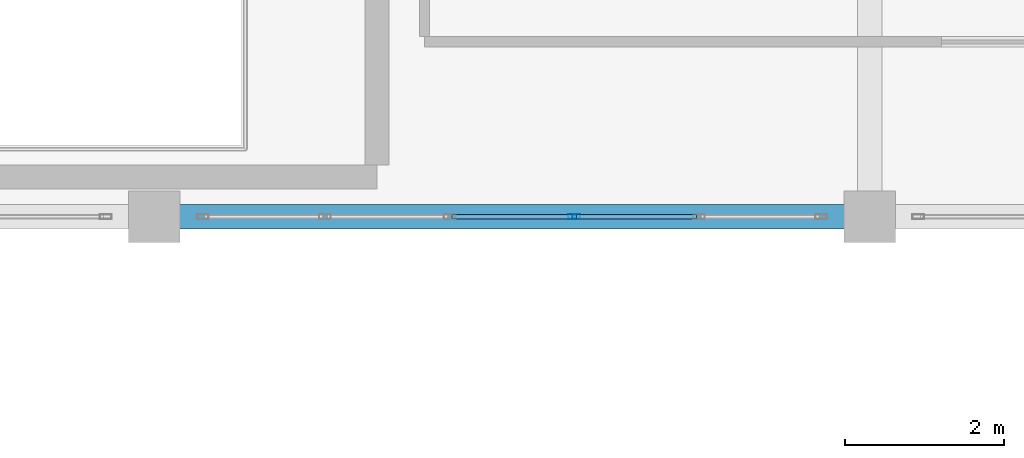
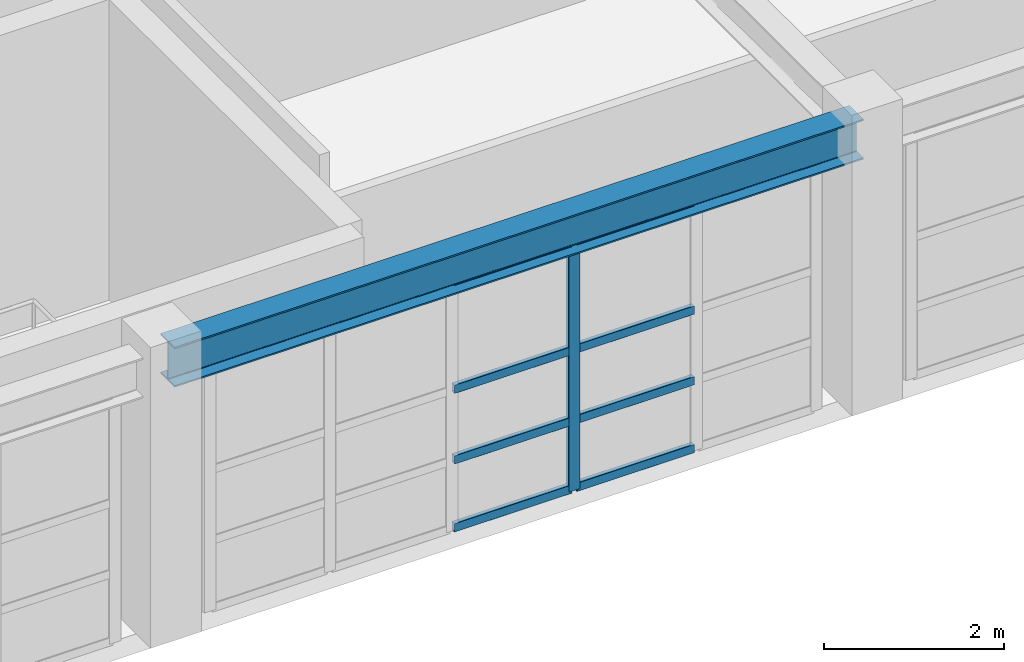
# One storey, part 74 of 130: 9 members, 1 beam, 1 element without a shape of its own.
"""IFC4 building model written with IfcOpenShell, lengths in metres."""

from ifc_helpers import new_model, si_unit, direction, frame, origin, origin_2d, place, context, subcontext, project, spatial, hollow_rectangle, i_section, extrude, material, material_profile, profile_set, type_object, element, aggregate, save


model = new_model("IFC4")

# Units and contexts
model_context = context("Model", 3, precision=1e-05, world=origin(), true_north=direction((0.0, 1.0)))
body_context = subcontext(model_context, "Body", "Model", "MODEL_VIEW")
ifc_project = project(units=[si_unit("LENGTHUNIT", "METRE"), si_unit("AREAUNIT", "SQUARE_METRE"), si_unit("VOLUMEUNIT", "CUBIC_METRE"), si_unit("PLANEANGLEUNIT", "RADIAN"), si_unit("MASSUNIT", "GRAM", prefix="KILO")], contexts=[model_context])

# Site, building, storey
site_placement = place(None, origin())
site = spatial("IfcSite", under=ifc_project, at=site_placement, CompositionType="ELEMENT")
building_placement = place(site_placement, origin())
building = spatial("IfcBuilding", under=site, at=building_placement, Name="Miravela Opera House", CompositionType="ELEMENT")
storey_placement = place(building_placement, frame((0.0, 0.0, 9.52001953125)))
storey = spatial("IfcBuildingStorey", under=building, at=storey_placement, Name="L02", CompositionType="ELEMENT", Elevation=9.52001953125)

# Curtain wall, members
ifc_material_1 = material(Name="Anodised architectural bronze aluminium 6063-T6", Category="aluminium")
curtain_wall_type = type_object("IfcCurtainWallType", Name="ARC-CW-05", PredefinedType="NOTDEFINED", material=ifc_material_1)
curtain_wall_placement = place(storey_placement, origin())
curtain_wall = element("IfcCurtainWall", 1, at=curtain_wall_placement, inside=storey, type_object=curtain_wall_type, Name="Courtyard Arcade Curtain Wall CW-L02-185", PredefinedType="NOTDEFINED")
ifc_material_profile_1 = material_profile(ifc_material_1, hollow_rectangle(XDim=0.06005859375, YDim=0.14990234375, WallThickness=0.00390625, InnerFilletRadius=0.001953125, OuterFilletRadius=0.00390625, at=origin_2d()), Name="CWM-60X150")
ifc_profile_set_1 = profile_set([ifc_material_profile_1])
member_type_1 = type_object("IfcMemberType", Name="ARC-CWM-150", PredefinedType="MULLION", material=ifc_profile_set_1)
member_1_placement = place(storey_placement, frame((131.283935546875, 103.0, 0.0), z_axis=(0.0, 0.0, 1.0), x_axis=(0.0, 1.0, 0.0)))
member_1 = element("IfcMember", 2, at=member_1_placement, type_object=member_type_1, Name="CW-05 mullion 4", PredefinedType="MULLION", context=body_context, shape_type="SweptSolid", body=[
    extrude(hollow_rectangle(XDim=0.06005859375, YDim=0.14990234375, WallThickness=0.00390625, InnerFilletRadius=0.001953125, OuterFilletRadius=0.00390625, at=origin_2d()), origin(), (0.0, 0.0, 1.0), 3.2900390625),
])
ifc_material_profile_2 = material_profile(ifc_material_1, hollow_rectangle(XDim=0.06005859375, YDim=0.114990234375, WallThickness=0.00390625, InnerFilletRadius=0.001953125, OuterFilletRadius=0.00390625, at=origin_2d()), Name="CWT-60X115")
ifc_profile_set_2 = profile_set([ifc_material_profile_2])
member_type_2 = type_object("IfcMemberType", Name="ARC-CWT-115", PredefinedType="USERDEFINED", material=ifc_profile_set_2)
member_2_placement = place(storey_placement, frame((129.74609375, 103.0, 0.030029296875), z_axis=(1.0, 0.0, 0.0), x_axis=(0.0, 1.0, 0.0)))
member_2 = element("IfcMember", 3, at=member_2_placement, type_object=member_type_2, Name="CW-05 transom 3.1", ObjectType="TRANSOM", PredefinedType="USERDEFINED", context=body_context, shape_type="SweptSolid", body=[
    extrude(hollow_rectangle(XDim=0.06005859375, YDim=0.114990234375, WallThickness=0.00390625, InnerFilletRadius=0.001953125, OuterFilletRadius=0.00390625, at=origin_2d()), origin(), (0.0, 0.0, 1.0), 1.5078125),
])
member_3_placement = place(storey_placement, frame((129.74609375, 103.0, 0.949951171875), z_axis=(1.0, 0.0, 0.0), x_axis=(0.0, 1.0, 0.0)))
member_3 = element("IfcMember", 4, at=member_3_placement, type_object=member_type_2, Name="CW-05 transom 3.2", ObjectType="TRANSOM", PredefinedType="USERDEFINED", context=body_context, shape_type="SweptSolid", body=[
    extrude(hollow_rectangle(XDim=0.06005859375, YDim=0.114990234375, WallThickness=0.00390625, InnerFilletRadius=0.001953125, OuterFilletRadius=0.00390625, at=origin_2d()), origin(), (0.0, 0.0, 1.0), 1.5078125),
])
member_4_placement = place(storey_placement, frame((129.74609375, 103.0, 1.908203125), z_axis=(1.0, 0.0, 0.0), x_axis=(0.0, 1.0, 0.0)))
member_4 = element("IfcMember", 5, at=member_4_placement, type_object=member_type_2, Name="CW-05 transom 3.3", ObjectType="TRANSOM", PredefinedType="USERDEFINED", context=body_context, shape_type="SweptSolid", body=[
    extrude(hollow_rectangle(XDim=0.06005859375, YDim=0.114990234375, WallThickness=0.00390625, InnerFilletRadius=0.001953125, OuterFilletRadius=0.00390625, at=origin_2d()), origin(), (0.0, 0.0, 1.0), 1.5078125),
])
member_5_placement = place(storey_placement, frame((129.74609375, 103.0, 3.260009765625), z_axis=(1.0, 0.0, 0.0), x_axis=(0.0, 1.0, 0.0)))
member_5 = element("IfcMember", 6, at=member_5_placement, type_object=member_type_2, Name="CW-05 transom 3.4", ObjectType="TRANSOM", PredefinedType="USERDEFINED", context=body_context, shape_type="SweptSolid", body=[
    extrude(hollow_rectangle(XDim=0.06005859375, YDim=0.114990234375, WallThickness=0.00390625, InnerFilletRadius=0.001953125, OuterFilletRadius=0.00390625, at=origin_2d()), origin(), (0.0, 0.0, 1.0), 1.5078125),
])
member_6_placement = place(storey_placement, frame((131.31396484375, 103.0, 0.030029296875), z_axis=(1.0, 0.0, 0.0), x_axis=(0.0, 1.0, 0.0)))
member_6 = element("IfcMember", 7, at=member_6_placement, type_object=member_type_2, Name="CW-05 transom 4.1", ObjectType="TRANSOM", PredefinedType="USERDEFINED", context=body_context, shape_type="SweptSolid", body=[
    extrude(hollow_rectangle(XDim=0.06005859375, YDim=0.114990234375, WallThickness=0.00390625, InnerFilletRadius=0.001953125, OuterFilletRadius=0.00390625, at=origin_2d()), origin(), (0.0, 0.0, 1.0), 1.508056640625),
])
member_7_placement = place(storey_placement, frame((131.31396484375, 103.0, 0.949951171875), z_axis=(1.0, 0.0, 0.0), x_axis=(0.0, 1.0, 0.0)))
member_7 = element("IfcMember", 8, at=member_7_placement, type_object=member_type_2, Name="CW-05 transom 4.2", ObjectType="TRANSOM", PredefinedType="USERDEFINED", context=body_context, shape_type="SweptSolid", body=[
    extrude(hollow_rectangle(XDim=0.06005859375, YDim=0.114990234375, WallThickness=0.00390625, InnerFilletRadius=0.001953125, OuterFilletRadius=0.00390625, at=origin_2d()), origin(), (0.0, 0.0, 1.0), 1.508056640625),
])
member_8_placement = place(storey_placement, frame((131.31396484375, 103.0, 1.908203125), z_axis=(1.0, 0.0, 0.0), x_axis=(0.0, 1.0, 0.0)))
member_8 = element("IfcMember", 9, at=member_8_placement, type_object=member_type_2, Name="CW-05 transom 4.3", ObjectType="TRANSOM", PredefinedType="USERDEFINED", context=body_context, shape_type="SweptSolid", body=[
    extrude(hollow_rectangle(XDim=0.06005859375, YDim=0.114990234375, WallThickness=0.00390625, InnerFilletRadius=0.001953125, OuterFilletRadius=0.00390625, at=origin_2d()), origin(), (0.0, 0.0, 1.0), 1.508056640625),
])
member_9_placement = place(storey_placement, frame((131.31396484375, 103.0, 3.260009765625), z_axis=(1.0, 0.0, 0.0), x_axis=(0.0, 1.0, 0.0)))
member_9 = element("IfcMember", 10, at=member_9_placement, type_object=member_type_2, Name="CW-05 transom 4.4", ObjectType="TRANSOM", PredefinedType="USERDEFINED", context=body_context, shape_type="SweptSolid", body=[
    extrude(hollow_rectangle(XDim=0.06005859375, YDim=0.114990234375, WallThickness=0.00390625, InnerFilletRadius=0.001953125, OuterFilletRadius=0.00390625, at=origin_2d()), origin(), (0.0, 0.0, 1.0), 1.508056640625),
])
aggregate(curtain_wall, [member_1, member_2, member_3, member_4, member_5, member_6, member_7, member_8, member_9])

# Beam
ifc_material_2 = material(Name="Structural steel ASTM A992 Gr. 50", Category="steel")
ifc_material_profile_3 = material_profile(ifc_material_2, i_section(OverallWidth=0.31201171875, OverallDepth=0.54296875, WebThickness=0.0126953125, FlangeThickness=0.020263671875, FilletRadius=0.01611328125, at=origin_2d()), Name="W530X150")
ifc_profile_set_3 = profile_set([ifc_material_profile_3])
beam_type = type_object("IfcBeamType", Name="STR-BM-W530X150", PredefinedType="BEAM", material=ifc_profile_set_3)
beam_placement = place(storey_placement, frame((126.080078125, 103.0, 3.568359375), z_axis=(1.0, 0.0, 0.0), x_axis=(0.0, 1.0, 0.0)))
element("IfcBeam", 11, at=beam_placement, inside=storey, type_object=beam_type, Name="Roof Eave Girder ROOF-V3-NE S2", PredefinedType="BEAM", context=body_context, shape_type="SweptSolid", body=[
    extrude(i_section(OverallWidth=0.31201171875, OverallDepth=0.54296875, WebThickness=0.0126953125, FlangeThickness=0.020263671875, FilletRadius=0.01611328125, at=origin_2d()), origin(), (0.0, 0.0, 1.0), 8.83984375),
])

save(model, "model.ifc")
